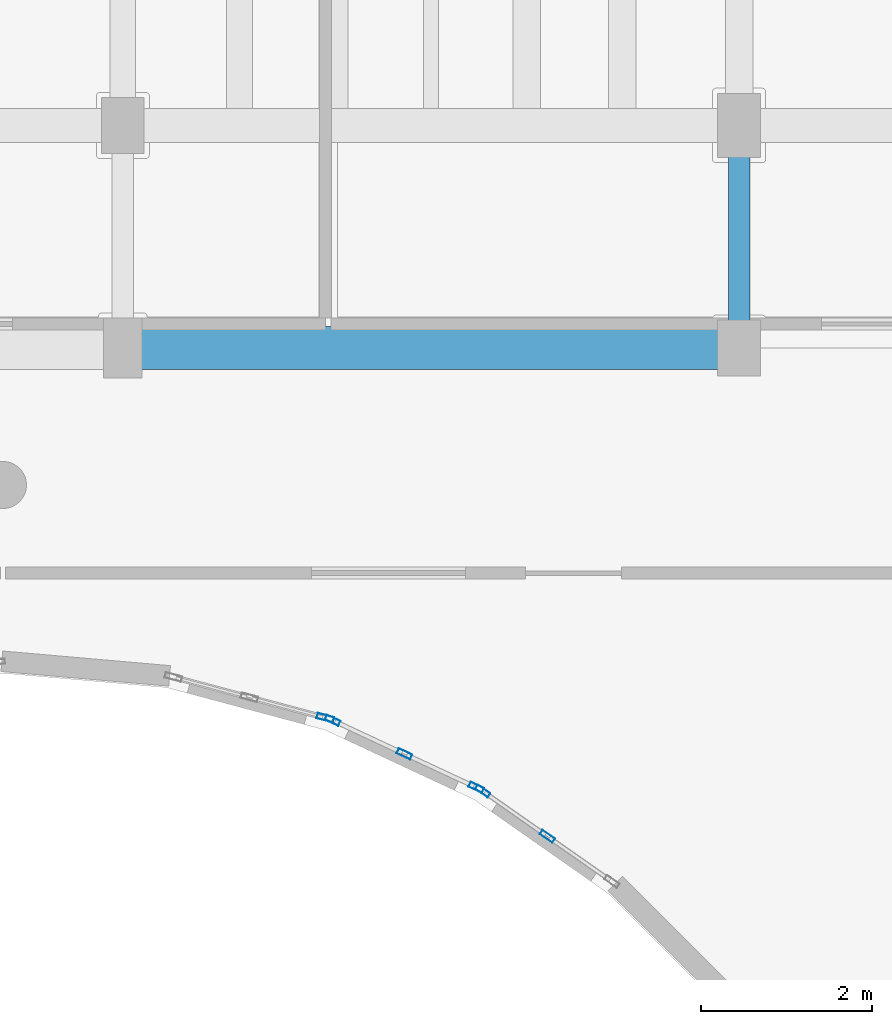
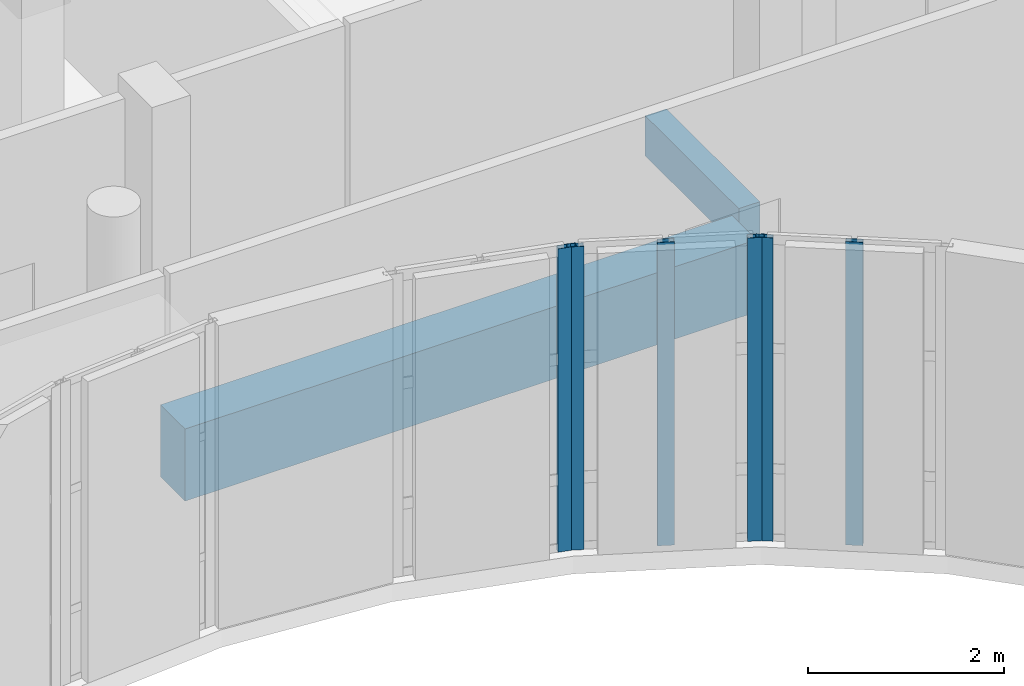
# One storey, part 34 of 89: 6 members, 2 beams, 3 elements without a shape of their own.
"""IFC4 building model written with IfcOpenShell, lengths in metres."""

import ifcopenshell
import ifcopenshell.guid

model = None  # the IFC model being written
_history = None  # IfcOwnerHistory: only IFC2X3 demands one
_inside = {}  # id of a spatial element -> (the spatial element, [elements in it])
_under = {}  # id of a project, library or spatial element -> (it, [spatial elements below it])
_declared = {}  # id of a project -> (the project, [libraries it declares])
_typed = {}  # id of a type object -> (the type object, [elements of that type])
_made_of = {}  # id of a material, layer set ... -> (it, [elements and type objects made of it])


def new_model(schema):
    """Start an empty IFC model of exactly this schema.

    Asked for "IFC4X3", IfcOpenShell would pick the latest addendum, in which some entities
    have other attributes; the version numbers below select the first issue.
    IFC2X3 requires an IfcOwnerHistory on every rooted entity: one is made here for all.
    """
    global model, _history
    if schema == "IFC4X3":
        model = ifcopenshell.file(schema_version=(4, 3, 0, 0))
    else:
        model = ifcopenshell.file(schema=schema)
    _inside.clear()
    _under.clear()
    _declared.clear()
    _typed.clear()
    _made_of.clear()
    _history = None
    if model.schema == "IFC2X3":
        org = make("IfcOrganization", Name="unknown")
        user = make(
            "IfcPersonAndOrganization",
            ThePerson=make("IfcPerson", FamilyName="unknown"),
            TheOrganization=org,
        )
        app = make(
            "IfcApplication",
            ApplicationDeveloper=org,
            Version="unknown",
            ApplicationFullName="unknown",
            ApplicationIdentifier="unknown",
        )
        _history = make(
            "IfcOwnerHistory",
            OwningUser=user,
            OwningApplication=app,
            ChangeAction="ADDED",
            CreationDate=0,
        )
    return model


def make(cls, **values):
    """One entity of the class cls with the attributes given. An attribute that is None is left unset."""
    return model.create_entity(
        cls, **{name: value for name, value in values.items() if value is not None}
    )


def rooted(cls, **values):
    """An entity with a GlobalId (a new one), such as an element, a storey or a relation."""
    return make(cls, GlobalId=ifcopenshell.guid.new(), OwnerHistory=_history, **values)


def si_unit(unit_type, name, prefix=None):
    """IfcSIUnit, for example si_unit("LENGTHUNIT", "METRE", prefix="MILLI")."""
    return make("IfcSIUnit", UnitType=unit_type, Prefix=prefix, Name=name)


def assignment(units):
    """IfcUnitAssignment: the units of a project."""
    return None if units is None else make("IfcUnitAssignment", Units=units)


def point(xyz):
    """IfcCartesianPoint."""
    return None if xyz is None else make("IfcCartesianPoint", Coordinates=xyz)


def direction(xyz):
    """IfcDirection."""
    return None if xyz is None else make("IfcDirection", DirectionRatios=xyz)


def frame(location, z_axis=None, x_axis=None):
    """IfcAxis2Placement3D, a coordinate frame: its origin and axes. An axis left out is left unset."""
    return make(
        "IfcAxis2Placement3D",
        Location=point(location),
        Axis=direction(z_axis),
        RefDirection=direction(x_axis),
    )


def frame_2d(location, x_axis=None):
    """IfcAxis2Placement2D, a coordinate frame in the plane: its origin and x axis."""
    return make(
        "IfcAxis2Placement2D", Location=point(location), RefDirection=direction(x_axis)
    )


def origin():
    """The frame at (0, 0, 0) with its axes left unset."""
    return frame((0.0, 0.0, 0.0))


def origin_2d():
    """The frame at (0, 0) in the plane with its x axis left unset."""
    return frame_2d((0.0, 0.0))


def place(relative_to, where):
    """IfcLocalPlacement: puts the frame where relative to a parent placement (None: the world)."""
    return make(
        "IfcLocalPlacement", PlacementRelTo=relative_to, RelativePlacement=where
    )


def context(
    kind, dimensions, precision=None, world=None, true_north=None, identifier=None
):
    """IfcGeometricRepresentationContext, for example the 3D "Model" context."""
    return make(
        "IfcGeometricRepresentationContext",
        ContextIdentifier=identifier,
        ContextType=kind,
        CoordinateSpaceDimension=dimensions,
        Precision=precision,
        WorldCoordinateSystem=world,
        TrueNorth=true_north,
    )


def subcontext(parent, identifier, kind, view, scale=None):
    """IfcGeometricRepresentationSubContext, for example "Body" below "Model"."""
    return make(
        "IfcGeometricRepresentationSubContext",
        ContextIdentifier=identifier,
        ContextType=kind,
        ParentContext=parent,
        TargetScale=scale,
        TargetView=view,
    )


def project(units=None, contexts=None):
    """IfcProject with its units and contexts."""
    return rooted(
        "IfcProject",
        Name="project",
        RepresentationContexts=contexts,
        UnitsInContext=assignment(units),
    )


def spatial(cls, under=None, at=None, **own):
    """A site, building, storey or space (cls), placed at a placement, below another one or the project."""
    s = rooted(cls, ObjectPlacement=at, **own)
    if under is not None:
        _under.setdefault(under.id(), (under, []))[1].append(s)
    return s


def profile(cls, at=None, kind="AREA", **sizes):
    """A parametric profile (cls). Its sizes go by their IFC names, for example OverallWidth=200.0."""
    return make(cls, ProfileType=kind, Position=at, **sizes)


def rectangle(**sizes):
    """IfcRectangleProfileDef."""
    return profile("IfcRectangleProfileDef", **sizes)


def hollow_rectangle(**sizes):
    """IfcRectangleHollowProfileDef."""
    return profile("IfcRectangleHollowProfileDef", **sizes)


def extrude(swept, where, along, depth):
    """IfcExtrudedAreaSolid: the profile swept, set in the frame where, extruded along a direction by depth."""
    return make(
        "IfcExtrudedAreaSolid",
        SweptArea=swept,
        Position=where,
        ExtrudedDirection=direction(along),
        Depth=depth,
    )


def shape(context_of_items, identifier, shape_type, items):
    """IfcShapeRepresentation: the items that make up one representation, for example the "Body"."""
    return make(
        "IfcShapeRepresentation",
        ContextOfItems=context_of_items,
        RepresentationIdentifier=identifier,
        RepresentationType=shape_type,
        Items=items,
    )


def material(Name=None, Category=None):
    """IfcMaterial."""
    return make("IfcMaterial", Name=Name, Category=Category)


def layer(
    of_material, thickness, ventilated=None, Name=None, Category=None, Priority=None
):
    """IfcMaterialLayer: one layer of a wall or slab, of a material (None: an air gap)."""
    return make(
        "IfcMaterialLayer",
        Material=of_material,
        LayerThickness=thickness,
        IsVentilated=ventilated,
        Name=Name,
        Category=Category,
        Priority=Priority,
    )


def layer_set(layers, Name=None):
    """IfcMaterialLayerSet."""
    return make("IfcMaterialLayerSet", MaterialLayers=layers, LayerSetName=Name)


def material_profile(
    of_material, cross_section, Name=None, Category=None, Priority=None
):
    """IfcMaterialProfile: a cross section and its material."""
    return make(
        "IfcMaterialProfile",
        Name=Name,
        Material=of_material,
        Profile=cross_section,
        Priority=Priority,
        Category=Category,
    )


def profile_set(profiles, Name=None, composite=None):
    """IfcMaterialProfileSet."""
    return make(
        "IfcMaterialProfileSet",
        Name=Name,
        MaterialProfiles=profiles,
        CompositeProfile=composite,
    )


def made_of(thing, what):
    """Note that an element or type object is made of a material, layer set ...; save() writes the relation."""
    if what is not None:
        _made_of.setdefault(what.id(), (what, []))[1].append(thing)
    return thing


def type_object(cls, material=None, **own):
    """A type object (cls), such as IfcWallType, which elements share."""
    return made_of(rooted(cls, **own), material)


def element(
    cls,
    number,
    at=None,
    inside=None,
    cuts=None,
    type_object=None,
    material=None,
    context=None,
    identifier="Body",
    shape_type=None,
    held_by="IfcProductDefinitionShape",
    body=None,
    shapes=None,
    **own,
):
    """One element of the class cls, such as IfcWall. Its Tag is "e" and its number.

    at: its placement. inside: the storey or other place that contains it. cuts: it is an
    opening in that element (IfcRelVoidsElement). A single representation is given by context,
    identifier, shape_type and body (its items); several are given by shapes. held_by: the class
    of the entity that holds the representations. save() writes the other relations.
    """
    e = rooted(cls, Tag="e%d" % number, ObjectPlacement=at, **own)
    if body is not None:
        shapes = [shape(context, identifier, shape_type, body)]
    if shapes is not None:
        e.Representation = make(held_by, Representations=shapes)
    if inside is not None:
        _inside.setdefault(inside.id(), (inside, []))[1].append(e)
    if cuts is not None:
        rooted(
            "IfcRelVoidsElement", RelatingBuildingElement=cuts, RelatedOpeningElement=e
        )
    if type_object is not None:
        _typed.setdefault(type_object.id(), (type_object, []))[1].append(e)
    return made_of(e, material)


def aggregate(whole, parts):
    """IfcRelAggregates: a whole, such as a stair, and the parts it consists of."""
    return rooted("IfcRelAggregates", RelatingObject=whole, RelatedObjects=parts)


def save(model, path):
    """Write the relations noted so far, then the file.

    IfcRelAggregates (storeys below a building ...), IfcRelContainedInSpatialStructure (elements
    in a storey), IfcRelDefinesByType, IfcRelAssociatesMaterial and IfcRelDeclares: one each for
    every whole, place, type object, material and project.
    """
    for whole, parts in _under.values():
        aggregate(whole, parts)
    for where, things in _inside.values():
        rooted(
            "IfcRelContainedInSpatialStructure",
            RelatedElements=things,
            RelatingStructure=where,
        )
    for kind, things in _typed.values():
        rooted("IfcRelDefinesByType", RelatedObjects=things, RelatingType=kind)
    for what, things in _made_of.values():
        rooted("IfcRelAssociatesMaterial", RelatedObjects=things, RelatingMaterial=what)
    for by, libraries in _declared.values():
        rooted("IfcRelDeclares", RelatingContext=by, RelatedDefinitions=libraries)
    model.write(path)


model = new_model("IFC4")

# Units and contexts
model_context = context("Model", 3, precision=1e-05, world=origin(), true_north=direction((0.0, 1.0)))
body_context = subcontext(model_context, "Body", "Model", "MODEL_VIEW")
ifc_project = project(units=[si_unit("LENGTHUNIT", "METRE"), si_unit("AREAUNIT", "SQUARE_METRE"), si_unit("VOLUMEUNIT", "CUBIC_METRE"), si_unit("PLANEANGLEUNIT", "RADIAN"), si_unit("MASSUNIT", "GRAM", prefix="KILO")], contexts=[model_context])

# Site, building, storey
site_placement = place(None, origin())
site = spatial("IfcSite", under=ifc_project, at=site_placement, CompositionType="ELEMENT")
building_placement = place(site_placement, origin())
building = spatial("IfcBuilding", under=site, at=building_placement, Name="Kelanivale Promenade Academy", CompositionType="ELEMENT")
storey_placement = place(building_placement, frame((0.0, 0.0, 12.199951171875)))
storey = spatial("IfcBuildingStorey", under=building, at=storey_placement, Name="L03", CompositionType="ELEMENT", Elevation=12.199951171875)

# Beam
ifc_material_1 = material(Name="Concrete C35/45", Category="concrete")
ifc_material_profile_1 = material_profile(ifc_material_1, rectangle(XDim=0.5, YDim=0.89990234375, at=origin_2d()), Name="RC-BM 500x900")
ifc_profile_set_1 = profile_set([ifc_material_profile_1], Name="Concrete C35/45")
beam_type_1 = type_object("IfcBeamType", Name="BM-08 RC-BM 500x900", PredefinedType="BEAM", material=ifc_profile_set_1)
beam_1_placement = place(storey_placement, frame((65.02001953125, 71.60009765625, -0.669921875), z_axis=(1.0, 0.0, 0.0), x_axis=(0.0, 1.0, 0.0)))
element("IfcBeam", 1, at=beam_1_placement, inside=storey, type_object=beam_type_1, Name="L03 girder BM-08", PredefinedType="BEAM", context=body_context, shape_type="SweptSolid", body=[
    extrude(rectangle(XDim=0.5, YDim=0.89990234375, at=origin_2d()), origin(), (0.0, 0.0, 1.0), 6.73486328125),
])

# Curtain wall, members
ifc_material_2 = material(Name="Bronze anodised aluminium and solar-control low-E glass", Category="aluminium")
ifc_layer_1 = layer(ifc_material_2, 0.179931640625)
ifc_layer_set_1 = layer_set([ifc_layer_1], Name="Bronze anodised aluminium and solar-control low-E glass")
curtain_wall_type_1 = type_object("IfcCurtainWallType", Name="CW-14 Curtain Wall 1500mm Module", PredefinedType="USERDEFINED", material=ifc_layer_set_1)
curtain_wall_1_placement = place(storey_placement, origin())
curtain_wall_1 = element("IfcCurtainWall", 2, at=curtain_wall_1_placement, inside=storey, type_object=curtain_wall_type_1, Name="L03 courtyard curtain wall CW-14", ObjectType="COURTYARD SCREEN GLAZING", PredefinedType="USERDEFINED")
ifc_material_3 = material(Name="Bronze anodised aluminium EN AW-6063 T6", Category="aluminium")
ifc_material_profile_2 = material_profile(ifc_material_3, hollow_rectangle(XDim=0.06005859375, YDim=0.179931640625, WallThickness=0.00390625, at=origin_2d()), Name="ALU 60x180x4.0")
ifc_profile_set_2 = profile_set([ifc_material_profile_2], Name="Bronze anodised aluminium EN AW-6063 T6")
member_type_1 = type_object("IfcMemberType", Name="CWM-02 ALU 60x180x4.0", PredefinedType="MULLION", material=ifc_profile_set_2)
member_1_placement = place(storey_placement, frame((69.759521484375, 65.8955078125, 0.0), z_axis=(0.0, 0.0, 1.0), x_axis=(-0.573356527561, -0.819305982099, 0.0)))
member_1 = element("IfcMember", 3, at=member_1_placement, type_object=member_type_1, Name="CW-14 mullion 2", PredefinedType="MULLION", context=body_context, shape_type="SweptSolid", body=[
    extrude(hollow_rectangle(XDim=0.06005859375, YDim=0.179931640625, WallThickness=0.00390625, at=origin_2d()), origin(), (0.0, 0.0, 1.0), 3.780029296875),
])
member_2_placement = place(storey_placement, frame((69.004638671875, 66.423828125, 0.0), z_axis=(0.0, 0.0, 1.0), x_axis=(-0.573356527561, -0.819305982099, 0.0)))
member_2 = element("IfcMember", 4, at=member_2_placement, type_object=member_type_1, Name="CW-14 mullion 3", PredefinedType="MULLION", context=body_context, shape_type="SweptSolid", body=[
    extrude(hollow_rectangle(XDim=0.06005859375, YDim=0.179931640625, WallThickness=0.00390625, at=origin_2d()), origin(), (0.0, 0.0, 1.0), 3.780029296875),
])
aggregate(curtain_wall_1, [member_1, member_2])

ifc_layer_2 = layer(ifc_material_2, 0.159912109375)
ifc_layer_set_2 = layer_set([ifc_layer_2], Name="Bronze anodised aluminium and solar-control low-E glass")
curtain_wall_type_2 = type_object("IfcCurtainWallType", Name="CW-15 Curtain Wall 1650mm Module", PredefinedType="USERDEFINED", material=ifc_layer_set_2)
curtain_wall_2_placement = place(storey_placement, origin())
curtain_wall_2 = element("IfcCurtainWall", 5, at=curtain_wall_2_placement, inside=storey, type_object=curtain_wall_type_2, Name="L03 courtyard curtain wall CW-15", ObjectType="COURTYARD SCREEN GLAZING", PredefinedType="USERDEFINED")
ifc_material_profile_3 = material_profile(ifc_material_3, hollow_rectangle(XDim=0.06494140625, YDim=0.175048828125, WallThickness=0.00390625, at=origin_2d()), Name="ALU 65x175x4.0")
ifc_profile_set_3 = profile_set([ifc_material_profile_3], Name="Bronze anodised aluminium EN AW-6063 T6")
member_type_2 = type_object("IfcMemberType", Name="CWM-03 ALU 65x175x4.0", PredefinedType="MULLION", material=ifc_profile_set_3)
member_3_placement = place(storey_placement, frame((68.929443359375, 66.466796875, 0.0), z_axis=(0.0, 0.0, 1.0), x_axis=(-0.422856921222, -0.906196460032, 0.0)))
member_3 = element("IfcMember", 6, at=member_3_placement, type_object=member_type_2, Name="CW-15 mullion 1", PredefinedType="MULLION", context=body_context, shape_type="SweptSolid", body=[
    extrude(hollow_rectangle(XDim=0.06494140625, YDim=0.175048828125, WallThickness=0.00390625, at=origin_2d()), origin(), (0.0, 0.0, 1.0), 3.780029296875),
])
member_4_placement = place(storey_placement, frame((68.090087890625, 66.8583984375, 0.0), z_axis=(0.0, 0.0, 1.0), x_axis=(-0.422856921222, -0.906196460032, 0.0)))
member_4 = element("IfcMember", 7, at=member_4_placement, type_object=member_type_2, Name="CW-15 mullion 2", PredefinedType="MULLION", context=body_context, shape_type="SweptSolid", body=[
    extrude(hollow_rectangle(XDim=0.06494140625, YDim=0.175048828125, WallThickness=0.00390625, at=origin_2d()), origin(), (0.0, 0.0, 1.0), 3.780029296875),
])
member_5_placement = place(storey_placement, frame((67.25048828125, 67.250244140625, 0.0), z_axis=(0.0, 0.0, 1.0), x_axis=(-0.422856921222, -0.906196460032, 0.0)))
member_5 = element("IfcMember", 8, at=member_5_placement, type_object=member_type_2, Name="CW-15 mullion 3", PredefinedType="MULLION", context=body_context, shape_type="SweptSolid", body=[
    extrude(hollow_rectangle(XDim=0.06494140625, YDim=0.175048828125, WallThickness=0.00390625, at=origin_2d()), origin(), (0.0, 0.0, 1.0), 3.780029296875),
])
aggregate(curtain_wall_2, [member_3, member_4, member_5])

# Curtain wall, member
ifc_layer_3 = layer(ifc_material_2, 0.169921875)
ifc_layer_set_3 = layer_set([ifc_layer_3], Name="Bronze anodised aluminium and solar-control low-E glass")
curtain_wall_type_3 = type_object("IfcCurtainWallType", Name="CW-16 Curtain Wall 1800mm Module", PredefinedType="USERDEFINED", material=ifc_layer_set_3)
curtain_wall_3_placement = place(storey_placement, origin())
curtain_wall_3 = element("IfcCurtainWall", 9, at=curtain_wall_3_placement, inside=storey, type_object=curtain_wall_type_3, Name="L03 courtyard curtain wall CW-16", ObjectType="COURTYARD SCREEN GLAZING", PredefinedType="USERDEFINED")
ifc_material_profile_4 = material_profile(ifc_material_3, hollow_rectangle(XDim=0.06494140625, YDim=0.199951171875, WallThickness=0.00439453125, at=origin_2d()), Name="ALU 65x200x4.5")
ifc_profile_set_4 = profile_set([ifc_material_profile_4], Name="Bronze anodised aluminium EN AW-6063 T6")
member_type_3 = type_object("IfcMemberType", Name="CWM-04 ALU 65x200x4.5", PredefinedType="MULLION", material=ifc_profile_set_4)
member_6_placement = place(storey_placement, frame((67.16650390625, 67.280517578125, 0.0), z_axis=(0.0, 0.0, 1.0), x_axis=(-0.258578458902, -0.965990259056, 0.0)))
member_6 = element("IfcMember", 10, at=member_6_placement, type_object=member_type_3, Name="CW-16 mullion 1", PredefinedType="MULLION", context=body_context, shape_type="SweptSolid", body=[
    extrude(hollow_rectangle(XDim=0.06494140625, YDim=0.199951171875, WallThickness=0.00439453125, at=origin_2d()), origin(), (0.0, 0.0, 1.0), 3.780029296875),
])
aggregate(curtain_wall_3, [member_6])

# Beam
ifc_material_profile_5 = material_profile(ifc_material_1, rectangle(XDim=0.25, YDim=0.5, at=origin_2d()), Name="RC-BM 250x500")
ifc_profile_set_5 = profile_set([ifc_material_profile_5], Name="Concrete C35/45")
beam_type_2 = type_object("IfcBeamType", Name="LN-02 RC-BM 250x500", PredefinedType="LINTEL", material=ifc_profile_set_5)
beam_2_placement = place(storey_placement, frame((72.0, 71.919921875, -0.469970703125), z_axis=(0.0, 1.0, 0.0), x_axis=(-1.0, 0.0, 0.0)))
element("IfcBeam", 11, at=beam_2_placement, inside=storey, type_object=beam_type_2, Name="L03 beam LN-02", PredefinedType="LINTEL", context=body_context, shape_type="SweptSolid", body=[
    extrude(rectangle(XDim=0.25, YDim=0.5, at=origin_2d()), origin(), (0.0, 0.0, 1.0), 1.91015625),
])

save(model, "model.ifc")
